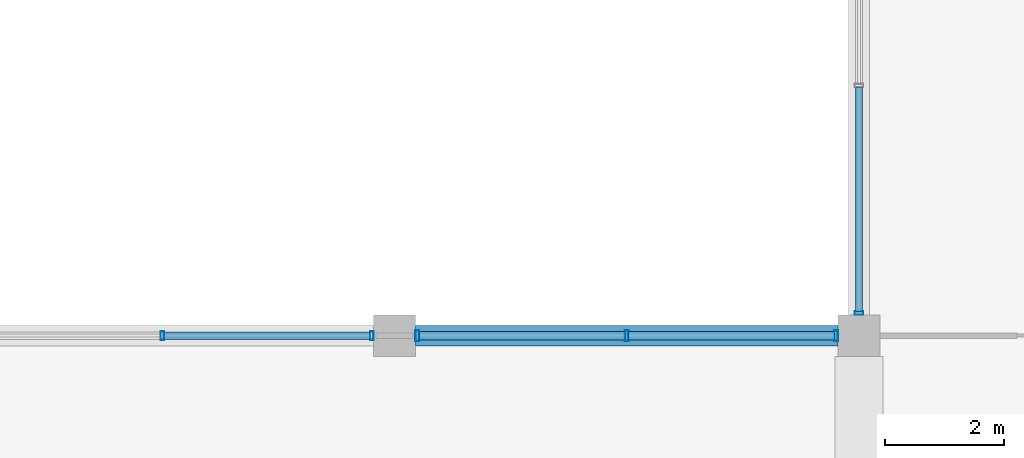
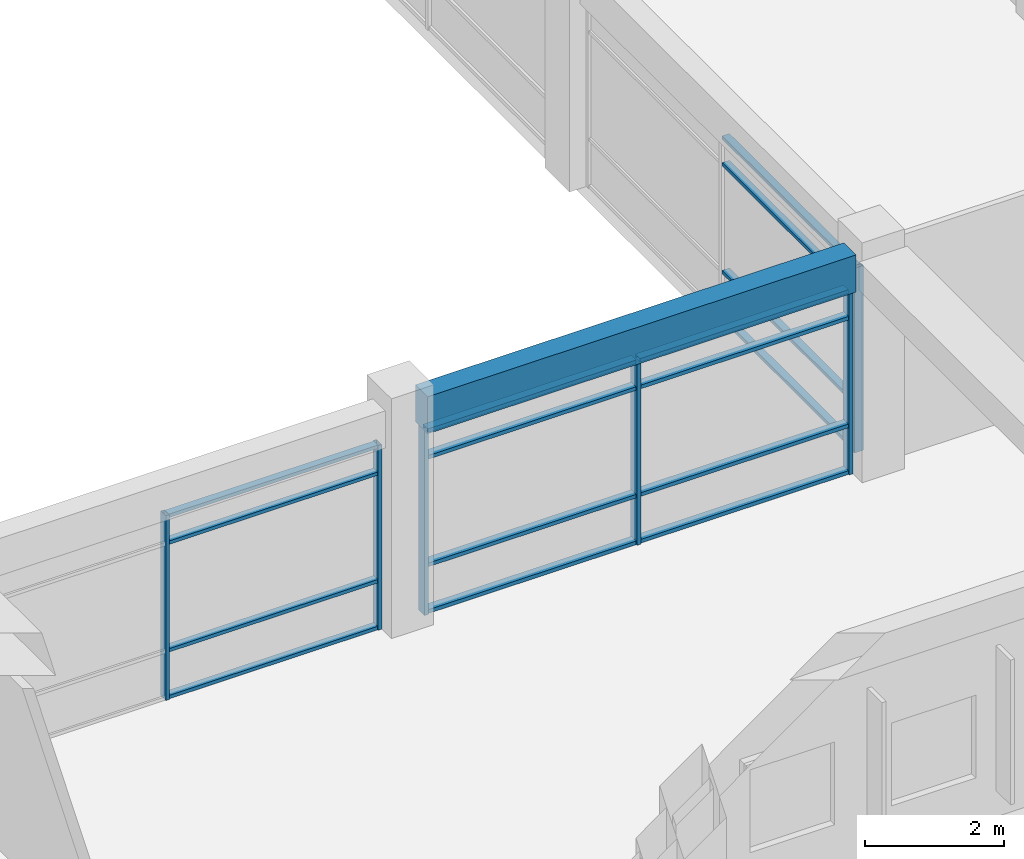
# One storey, part 13 of 53: 22 members, 1 beam, 3 elements without a shape of their own.
"""IFC4 building model written with IfcOpenShell, lengths in metres."""

import ifcopenshell
import ifcopenshell.guid

model = None  # the IFC model being written
_history = None  # IfcOwnerHistory: only IFC2X3 demands one
_inside = {}  # id of a spatial element -> (the spatial element, [elements in it])
_under = {}  # id of a project, library or spatial element -> (it, [spatial elements below it])
_declared = {}  # id of a project -> (the project, [libraries it declares])
_typed = {}  # id of a type object -> (the type object, [elements of that type])
_made_of = {}  # id of a material, layer set ... -> (it, [elements and type objects made of it])


def new_model(schema):
    """Start an empty IFC model of exactly this schema.

    Asked for "IFC4X3", IfcOpenShell would pick the latest addendum, in which some entities
    have other attributes; the version numbers below select the first issue.
    IFC2X3 requires an IfcOwnerHistory on every rooted entity: one is made here for all.
    """
    global model, _history
    if schema == "IFC4X3":
        model = ifcopenshell.file(schema_version=(4, 3, 0, 0))
    else:
        model = ifcopenshell.file(schema=schema)
    _inside.clear()
    _under.clear()
    _declared.clear()
    _typed.clear()
    _made_of.clear()
    _history = None
    if model.schema == "IFC2X3":
        org = make("IfcOrganization", Name="unknown")
        user = make(
            "IfcPersonAndOrganization",
            ThePerson=make("IfcPerson", FamilyName="unknown"),
            TheOrganization=org,
        )
        app = make(
            "IfcApplication",
            ApplicationDeveloper=org,
            Version="unknown",
            ApplicationFullName="unknown",
            ApplicationIdentifier="unknown",
        )
        _history = make(
            "IfcOwnerHistory",
            OwningUser=user,
            OwningApplication=app,
            ChangeAction="ADDED",
            CreationDate=0,
        )
    return model


def make(cls, **values):
    """One entity of the class cls with the attributes given. An attribute that is None is left unset."""
    return model.create_entity(
        cls, **{name: value for name, value in values.items() if value is not None}
    )


def rooted(cls, **values):
    """An entity with a GlobalId (a new one), such as an element, a storey or a relation."""
    return make(cls, GlobalId=ifcopenshell.guid.new(), OwnerHistory=_history, **values)


def si_unit(unit_type, name, prefix=None):
    """IfcSIUnit, for example si_unit("LENGTHUNIT", "METRE", prefix="MILLI")."""
    return make("IfcSIUnit", UnitType=unit_type, Prefix=prefix, Name=name)


def assignment(units):
    """IfcUnitAssignment: the units of a project."""
    return None if units is None else make("IfcUnitAssignment", Units=units)


def point(xyz):
    """IfcCartesianPoint."""
    return None if xyz is None else make("IfcCartesianPoint", Coordinates=xyz)


def direction(xyz):
    """IfcDirection."""
    return None if xyz is None else make("IfcDirection", DirectionRatios=xyz)


def frame(location, z_axis=None, x_axis=None):
    """IfcAxis2Placement3D, a coordinate frame: its origin and axes. An axis left out is left unset."""
    return make(
        "IfcAxis2Placement3D",
        Location=point(location),
        Axis=direction(z_axis),
        RefDirection=direction(x_axis),
    )


def frame_2d(location, x_axis=None):
    """IfcAxis2Placement2D, a coordinate frame in the plane: its origin and x axis."""
    return make(
        "IfcAxis2Placement2D", Location=point(location), RefDirection=direction(x_axis)
    )


def origin():
    """The frame at (0, 0, 0) with its axes left unset."""
    return frame((0.0, 0.0, 0.0))


def origin_2d():
    """The frame at (0, 0) in the plane with its x axis left unset."""
    return frame_2d((0.0, 0.0))


def place(relative_to, where):
    """IfcLocalPlacement: puts the frame where relative to a parent placement (None: the world)."""
    return make(
        "IfcLocalPlacement", PlacementRelTo=relative_to, RelativePlacement=where
    )


def context(
    kind, dimensions, precision=None, world=None, true_north=None, identifier=None
):
    """IfcGeometricRepresentationContext, for example the 3D "Model" context."""
    return make(
        "IfcGeometricRepresentationContext",
        ContextIdentifier=identifier,
        ContextType=kind,
        CoordinateSpaceDimension=dimensions,
        Precision=precision,
        WorldCoordinateSystem=world,
        TrueNorth=true_north,
    )


def subcontext(parent, identifier, kind, view, scale=None):
    """IfcGeometricRepresentationSubContext, for example "Body" below "Model"."""
    return make(
        "IfcGeometricRepresentationSubContext",
        ContextIdentifier=identifier,
        ContextType=kind,
        ParentContext=parent,
        TargetScale=scale,
        TargetView=view,
    )


def project(units=None, contexts=None):
    """IfcProject with its units and contexts."""
    return rooted(
        "IfcProject",
        Name="project",
        RepresentationContexts=contexts,
        UnitsInContext=assignment(units),
    )


def spatial(cls, under=None, at=None, **own):
    """A site, building, storey or space (cls), placed at a placement, below another one or the project."""
    s = rooted(cls, ObjectPlacement=at, **own)
    if under is not None:
        _under.setdefault(under.id(), (under, []))[1].append(s)
    return s


def profile(cls, at=None, kind="AREA", **sizes):
    """A parametric profile (cls). Its sizes go by their IFC names, for example OverallWidth=200.0."""
    return make(cls, ProfileType=kind, Position=at, **sizes)


def rectangle(**sizes):
    """IfcRectangleProfileDef."""
    return profile("IfcRectangleProfileDef", **sizes)


def hollow_rectangle(**sizes):
    """IfcRectangleHollowProfileDef."""
    return profile("IfcRectangleHollowProfileDef", **sizes)


def extrude(swept, where, along, depth):
    """IfcExtrudedAreaSolid: the profile swept, set in the frame where, extruded along a direction by depth."""
    return make(
        "IfcExtrudedAreaSolid",
        SweptArea=swept,
        Position=where,
        ExtrudedDirection=direction(along),
        Depth=depth,
    )


def shape(context_of_items, identifier, shape_type, items):
    """IfcShapeRepresentation: the items that make up one representation, for example the "Body"."""
    return make(
        "IfcShapeRepresentation",
        ContextOfItems=context_of_items,
        RepresentationIdentifier=identifier,
        RepresentationType=shape_type,
        Items=items,
    )


def material(Name=None, Category=None):
    """IfcMaterial."""
    return make("IfcMaterial", Name=Name, Category=Category)


def material_profile(
    of_material, cross_section, Name=None, Category=None, Priority=None
):
    """IfcMaterialProfile: a cross section and its material."""
    return make(
        "IfcMaterialProfile",
        Name=Name,
        Material=of_material,
        Profile=cross_section,
        Priority=Priority,
        Category=Category,
    )


def profile_set(profiles, Name=None, composite=None):
    """IfcMaterialProfileSet."""
    return make(
        "IfcMaterialProfileSet",
        Name=Name,
        MaterialProfiles=profiles,
        CompositeProfile=composite,
    )


def made_of(thing, what):
    """Note that an element or type object is made of a material, layer set ...; save() writes the relation."""
    if what is not None:
        _made_of.setdefault(what.id(), (what, []))[1].append(thing)
    return thing


def type_object(cls, material=None, **own):
    """A type object (cls), such as IfcWallType, which elements share."""
    return made_of(rooted(cls, **own), material)


def element(
    cls,
    number,
    at=None,
    inside=None,
    cuts=None,
    type_object=None,
    material=None,
    context=None,
    identifier="Body",
    shape_type=None,
    held_by="IfcProductDefinitionShape",
    body=None,
    shapes=None,
    **own,
):
    """One element of the class cls, such as IfcWall. Its Tag is "e" and its number.

    at: its placement. inside: the storey or other place that contains it. cuts: it is an
    opening in that element (IfcRelVoidsElement). A single representation is given by context,
    identifier, shape_type and body (its items); several are given by shapes. held_by: the class
    of the entity that holds the representations. save() writes the other relations.
    """
    e = rooted(cls, Tag="e%d" % number, ObjectPlacement=at, **own)
    if body is not None:
        shapes = [shape(context, identifier, shape_type, body)]
    if shapes is not None:
        e.Representation = make(held_by, Representations=shapes)
    if inside is not None:
        _inside.setdefault(inside.id(), (inside, []))[1].append(e)
    if cuts is not None:
        rooted(
            "IfcRelVoidsElement", RelatingBuildingElement=cuts, RelatedOpeningElement=e
        )
    if type_object is not None:
        _typed.setdefault(type_object.id(), (type_object, []))[1].append(e)
    return made_of(e, material)


def aggregate(whole, parts):
    """IfcRelAggregates: a whole, such as a stair, and the parts it consists of."""
    return rooted("IfcRelAggregates", RelatingObject=whole, RelatedObjects=parts)


def save(model, path):
    """Write the relations noted so far, then the file.

    IfcRelAggregates (storeys below a building ...), IfcRelContainedInSpatialStructure (elements
    in a storey), IfcRelDefinesByType, IfcRelAssociatesMaterial and IfcRelDeclares: one each for
    every whole, place, type object, material and project.
    """
    for whole, parts in _under.values():
        aggregate(whole, parts)
    for where, things in _inside.values():
        rooted(
            "IfcRelContainedInSpatialStructure",
            RelatedElements=things,
            RelatingStructure=where,
        )
    for kind, things in _typed.values():
        rooted("IfcRelDefinesByType", RelatedObjects=things, RelatingType=kind)
    for what, things in _made_of.values():
        rooted("IfcRelAssociatesMaterial", RelatedObjects=things, RelatingMaterial=what)
    for by, libraries in _declared.values():
        rooted("IfcRelDeclares", RelatingContext=by, RelatedDefinitions=libraries)
    model.write(path)


model = new_model("IFC4")

# Units and contexts
model_context = context("Model", 3, precision=1e-05, world=origin(), true_north=direction((0.0, 1.0)))
body_context = subcontext(model_context, "Body", "Model", "MODEL_VIEW")
ifc_project = project(units=[si_unit("LENGTHUNIT", "METRE"), si_unit("AREAUNIT", "SQUARE_METRE"), si_unit("VOLUMEUNIT", "CUBIC_METRE"), si_unit("PLANEANGLEUNIT", "RADIAN"), si_unit("MASSUNIT", "GRAM", prefix="KILO"), si_unit("THERMODYNAMICTEMPERATUREUNIT", "KELVIN"), si_unit("POWERUNIT", "WATT")], contexts=[model_context])

# Site, building, storey
site_placement = place(None, origin())
site = spatial("IfcSite", under=ifc_project, at=site_placement, CompositionType="ELEMENT")
building_placement = place(site_placement, origin())
building = spatial("IfcBuilding", under=site, at=building_placement, Name="Srebrne Nadtorze General Hospital", CompositionType="ELEMENT")
storey_placement = place(building_placement, frame((0.0, 0.0, 18.0)))
storey = spatial("IfcBuildingStorey", under=building, at=storey_placement, Name="L04", CompositionType="ELEMENT", Elevation=18.0)

# Curtain wall, members
ifc_material_1 = material(Name="Anodised Aluminium", Category="aluminium")
curtain_wall_type_1 = type_object("IfcCurtainWallType", Name="Unitised curtain wall 7100x3235", PredefinedType="NOTDEFINED", material=ifc_material_1)
curtain_wall_1_placement = place(storey_placement, origin())
curtain_wall_1 = element("IfcCurtainWall", 1, at=curtain_wall_1_placement, inside=storey, type_object=curtain_wall_type_1, Name="Curtain wall CW-102", PredefinedType="NOTDEFINED")
ifc_material_2 = material(Name="Anodised Aluminium", Category="aluminium")
ifc_material_profile_1 = material_profile(ifc_material_2, hollow_rectangle(XDim=0.06005859375, YDim=0.14990234375, WallThickness=0.00390625, at=origin_2d()), Name="AL-MUL-60x150")
ifc_profile_set_1 = profile_set([ifc_material_profile_1], Name="Anodised Aluminium")
member_type_1 = type_object("IfcMemberType", Name="Curtain mullion 60x150", PredefinedType="MULLION", material=ifc_profile_set_1)
member_1_placement = place(storey_placement, frame((120.89990234375, 8.39990234375, 0.0), z_axis=(0.0, 0.0, 1.0), x_axis=(1.0, 0.0, 0.0)))
member_1 = element("IfcMember", 2, at=member_1_placement, type_object=member_type_1, Name="CW-102 mullion 2", PredefinedType="MULLION", context=body_context, shape_type="SweptSolid", body=[
    extrude(hollow_rectangle(XDim=0.06005859375, YDim=0.14990234375, WallThickness=0.00390625, at=origin_2d()), origin(), (0.0, 0.0, 1.0), 3.235107421875),
])
member_2_placement = place(storey_placement, frame((124.419921875, 8.39990234375, 0.0), z_axis=(0.0, 0.0, 1.0), x_axis=(1.0, 0.0, 0.0)))
member_2 = element("IfcMember", 3, at=member_2_placement, type_object=member_type_1, Name="CW-102 mullion 3", PredefinedType="MULLION", context=body_context, shape_type="SweptSolid", body=[
    extrude(hollow_rectangle(XDim=0.06005859375, YDim=0.14990234375, WallThickness=0.00390625, at=origin_2d()), origin(), (0.0, 0.0, 1.0), 3.235107421875),
])

# Curtain wall, member
ifc_material_3 = material(Name="Anodised Aluminium", Category="aluminium")
curtain_wall_type_2 = type_object("IfcCurtainWallType", Name="Unitised curtain wall 7700x3235", PredefinedType="NOTDEFINED", material=ifc_material_3)
curtain_wall_2_placement = place(storey_placement, origin())
curtain_wall_2 = element("IfcCurtainWall", 4, at=curtain_wall_2_placement, inside=storey, type_object=curtain_wall_type_2, Name="Curtain wall CW-112", PredefinedType="NOTDEFINED")
member_3_placement = place(storey_placement, frame((132.60009765625, 8.780029296875, 0.0), z_axis=(0.0, 0.0, 1.0), x_axis=(0.0, 1.0, 0.0)))
member_3 = element("IfcMember", 5, at=member_3_placement, type_object=member_type_1, Name="CW-112 mullion 1", PredefinedType="MULLION", context=body_context, shape_type="SweptSolid", body=[
    extrude(hollow_rectangle(XDim=0.06005859375, YDim=0.14990234375, WallThickness=0.00390625, at=origin_2d()), origin(), (0.0, 0.0, 1.0), 3.235107421875),
])

# Curtain wall, members
curtain_wall_3_placement = place(storey_placement, origin())
curtain_wall_3 = element("IfcCurtainWall", 6, at=curtain_wall_3_placement, inside=storey, type_object=curtain_wall_type_1, Name="Curtain wall CW-103", PredefinedType="NOTDEFINED")
ifc_material_4 = material(Name="Anodised Aluminium", Category="aluminium")
ifc_material_profile_2 = material_profile(ifc_material_4, hollow_rectangle(XDim=0.06494140625, YDim=0.179931640625, WallThickness=0.00390625, at=origin_2d()), Name="AL-MUL-65x180")
ifc_profile_set_2 = profile_set([ifc_material_profile_2], Name="Anodised Aluminium")
member_type_2 = type_object("IfcMemberType", Name="Curtain mullion 65x180", PredefinedType="MULLION", material=ifc_profile_set_2)
member_4_placement = place(storey_placement, frame((125.1826171875, 8.39990234375, 0.0), z_axis=(0.0, 0.0, 1.0), x_axis=(1.0, 0.0, 0.0)))
member_4 = element("IfcMember", 7, at=member_4_placement, type_object=member_type_2, Name="CW-103 mullion 1", PredefinedType="MULLION", context=body_context, shape_type="SweptSolid", body=[
    extrude(hollow_rectangle(XDim=0.06494140625, YDim=0.179931640625, WallThickness=0.00390625, at=origin_2d()), origin(), (0.0, 0.0, 1.0), 3.235107421875),
])
member_5_placement = place(storey_placement, frame((128.699951171875, 8.39990234375, 0.0), z_axis=(0.0, 0.0, 1.0), x_axis=(1.0, 0.0, 0.0)))
member_5 = element("IfcMember", 8, at=member_5_placement, type_object=member_type_2, Name="CW-103 mullion 2", PredefinedType="MULLION", context=body_context, shape_type="SweptSolid", body=[
    extrude(hollow_rectangle(XDim=0.06494140625, YDim=0.179931640625, WallThickness=0.00390625, at=origin_2d()), origin(), (0.0, 0.0, 1.0), 3.235107421875),
])
member_6_placement = place(storey_placement, frame((132.217529296875, 8.39990234375, 0.0), z_axis=(0.0, 0.0, 1.0), x_axis=(1.0, 0.0, 0.0)))
member_6 = element("IfcMember", 9, at=member_6_placement, type_object=member_type_2, Name="CW-103 mullion 3", PredefinedType="MULLION", context=body_context, shape_type="SweptSolid", body=[
    extrude(hollow_rectangle(XDim=0.06494140625, YDim=0.179931640625, WallThickness=0.00390625, at=origin_2d()), origin(), (0.0, 0.0, 1.0), 3.235107421875),
])

# Member
ifc_material_5 = material(Name="Anodised Aluminium", Category="aluminium")
ifc_material_profile_3 = material_profile(ifc_material_5, hollow_rectangle(XDim=0.06005859375, YDim=0.1201171875, WallThickness=0.00390625, at=origin_2d()), Name="AL-TRN-60x120")
ifc_profile_set_3 = profile_set([ifc_material_profile_3], Name="Anodised Aluminium")
member_type_3 = type_object("IfcMemberType", Name="Curtain transom 60x120", PredefinedType="USERDEFINED", material=ifc_profile_set_3)
member_7_placement = place(storey_placement, frame((120.929931640625, 8.39990234375, 0.030029296875), z_axis=(1.0, 0.0, 0.0), x_axis=(0.0, 0.0, 1.0)))
member_7 = element("IfcMember", 10, at=member_7_placement, type_object=member_type_3, Name="CW-102 transom 2.1", ObjectType="TRANSOM", PredefinedType="USERDEFINED", context=body_context, shape_type="SweptSolid", body=[
    extrude(hollow_rectangle(XDim=0.06005859375, YDim=0.1201171875, WallThickness=0.00390625, at=origin_2d()), origin(), (0.0, 0.0, 1.0), 3.4599609375),
])

member_8_placement = place(storey_placement, frame((120.929931640625, 8.39990234375, 0.85009765625), z_axis=(1.0, 0.0, 0.0), x_axis=(0.0, 0.0, 1.0)))
member_8 = element("IfcMember", 11, at=member_8_placement, type_object=member_type_3, Name="CW-102 transom 2.2", ObjectType="TRANSOM", PredefinedType="USERDEFINED", context=body_context, shape_type="SweptSolid", body=[
    extrude(hollow_rectangle(XDim=0.06005859375, YDim=0.1201171875, WallThickness=0.00390625, at=origin_2d()), origin(), (0.0, 0.0, 1.0), 3.4599609375),
])

member_9_placement = place(storey_placement, frame((120.929931640625, 8.39990234375, 2.735107421875), z_axis=(1.0, 0.0, 0.0), x_axis=(0.0, 0.0, 1.0)))
member_9 = element("IfcMember", 12, at=member_9_placement, type_object=member_type_3, Name="CW-102 transom 2.3", ObjectType="TRANSOM", PredefinedType="USERDEFINED", context=body_context, shape_type="SweptSolid", body=[
    extrude(hollow_rectangle(XDim=0.06005859375, YDim=0.1201171875, WallThickness=0.00390625, at=origin_2d()), origin(), (0.0, 0.0, 1.0), 3.4599609375),
])

member_10_placement = place(storey_placement, frame((120.929931640625, 8.39990234375, 3.205078125), z_axis=(1.0, 0.0, 0.0), x_axis=(0.0, 0.0, 1.0)))
member_10 = element("IfcMember", 13, at=member_10_placement, type_object=member_type_3, Name="CW-102 transom 2.4", ObjectType="TRANSOM", PredefinedType="USERDEFINED", context=body_context, shape_type="SweptSolid", body=[
    extrude(hollow_rectangle(XDim=0.06005859375, YDim=0.1201171875, WallThickness=0.00390625, at=origin_2d()), origin(), (0.0, 0.0, 1.0), 3.4599609375),
])

aggregate(curtain_wall_1, [member_1, member_2, member_7, member_8, member_9, member_10])

member_11_placement = place(storey_placement, frame((132.60009765625, 8.81005859375, 0.030029296875), z_axis=(0.0, 1.0, 0.0), x_axis=(0.0, 0.0, 1.0)))
member_11 = element("IfcMember", 14, at=member_11_placement, type_object=member_type_3, Name="CW-112 transom 1.1", ObjectType="TRANSOM", PredefinedType="USERDEFINED", context=body_context, shape_type="SweptSolid", body=[
    extrude(hollow_rectangle(XDim=0.06005859375, YDim=0.1201171875, WallThickness=0.00390625, at=origin_2d()), origin(), (0.0, 0.0, 1.0), 3.760009765625),
])

member_12_placement = place(storey_placement, frame((132.60009765625, 8.81005859375, 0.85009765625), z_axis=(0.0, 1.0, 0.0), x_axis=(0.0, 0.0, 1.0)))
member_12 = element("IfcMember", 15, at=member_12_placement, type_object=member_type_3, Name="CW-112 transom 1.2", ObjectType="TRANSOM", PredefinedType="USERDEFINED", context=body_context, shape_type="SweptSolid", body=[
    extrude(hollow_rectangle(XDim=0.06005859375, YDim=0.1201171875, WallThickness=0.00390625, at=origin_2d()), origin(), (0.0, 0.0, 1.0), 3.760009765625),
])

member_13_placement = place(storey_placement, frame((132.60009765625, 8.81005859375, 2.735107421875), z_axis=(0.0, 1.0, 0.0), x_axis=(0.0, 0.0, 1.0)))
member_13 = element("IfcMember", 16, at=member_13_placement, type_object=member_type_3, Name="CW-112 transom 1.3", ObjectType="TRANSOM", PredefinedType="USERDEFINED", context=body_context, shape_type="SweptSolid", body=[
    extrude(hollow_rectangle(XDim=0.06005859375, YDim=0.1201171875, WallThickness=0.00390625, at=origin_2d()), origin(), (0.0, 0.0, 1.0), 3.760009765625),
])

member_14_placement = place(storey_placement, frame((132.60009765625, 8.81005859375, 3.205078125), z_axis=(0.0, 1.0, 0.0), x_axis=(0.0, 0.0, 1.0)))
member_14 = element("IfcMember", 17, at=member_14_placement, type_object=member_type_3, Name="CW-112 transom 1.4", ObjectType="TRANSOM", PredefinedType="USERDEFINED", context=body_context, shape_type="SweptSolid", body=[
    extrude(hollow_rectangle(XDim=0.06005859375, YDim=0.1201171875, WallThickness=0.00390625, at=origin_2d()), origin(), (0.0, 0.0, 1.0), 3.760009765625),
])

aggregate(curtain_wall_2, [member_3, member_11, member_12, member_13, member_14])

ifc_material_6 = material(Name="Anodised Aluminium", Category="aluminium")
ifc_material_profile_4 = material_profile(ifc_material_6, hollow_rectangle(XDim=0.06494140625, YDim=0.139892578125, WallThickness=0.00390625, at=origin_2d()), Name="AL-TRN-65x140")
ifc_profile_set_4 = profile_set([ifc_material_profile_4], Name="Anodised Aluminium")
member_type_4 = type_object("IfcMemberType", Name="Curtain transom 65x140", PredefinedType="USERDEFINED", material=ifc_profile_set_4)
member_15_placement = place(storey_placement, frame((125.215087890625, 8.39990234375, 0.032470703125), z_axis=(1.0, 0.0, 0.0), x_axis=(0.0, 0.0, 1.0)))
member_15 = element("IfcMember", 18, at=member_15_placement, type_object=member_type_4, Name="CW-103 transom 1.1", ObjectType="TRANSOM", PredefinedType="USERDEFINED", context=body_context, shape_type="SweptSolid", body=[
    extrude(hollow_rectangle(XDim=0.06494140625, YDim=0.139892578125, WallThickness=0.00390625, at=origin_2d()), origin(), (0.0, 0.0, 1.0), 3.452392578125),
])

member_16_placement = place(storey_placement, frame((125.215087890625, 8.39990234375, 0.85009765625), z_axis=(1.0, 0.0, 0.0), x_axis=(0.0, 0.0, 1.0)))
member_16 = element("IfcMember", 19, at=member_16_placement, type_object=member_type_4, Name="CW-103 transom 1.2", ObjectType="TRANSOM", PredefinedType="USERDEFINED", context=body_context, shape_type="SweptSolid", body=[
    extrude(hollow_rectangle(XDim=0.06494140625, YDim=0.139892578125, WallThickness=0.00390625, at=origin_2d()), origin(), (0.0, 0.0, 1.0), 3.452392578125),
])

member_17_placement = place(storey_placement, frame((125.215087890625, 8.39990234375, 2.735107421875), z_axis=(1.0, 0.0, 0.0), x_axis=(0.0, 0.0, 1.0)))
member_17 = element("IfcMember", 20, at=member_17_placement, type_object=member_type_4, Name="CW-103 transom 1.3", ObjectType="TRANSOM", PredefinedType="USERDEFINED", context=body_context, shape_type="SweptSolid", body=[
    extrude(hollow_rectangle(XDim=0.06494140625, YDim=0.139892578125, WallThickness=0.00390625, at=origin_2d()), origin(), (0.0, 0.0, 1.0), 3.452392578125),
])

member_18_placement = place(storey_placement, frame((125.215087890625, 8.39990234375, 3.202392578125), z_axis=(1.0, 0.0, 0.0), x_axis=(0.0, 0.0, 1.0)))
member_18 = element("IfcMember", 21, at=member_18_placement, type_object=member_type_4, Name="CW-103 transom 1.4", ObjectType="TRANSOM", PredefinedType="USERDEFINED", context=body_context, shape_type="SweptSolid", body=[
    extrude(hollow_rectangle(XDim=0.06494140625, YDim=0.139892578125, WallThickness=0.00390625, at=origin_2d()), origin(), (0.0, 0.0, 1.0), 3.452392578125),
])

member_19_placement = place(storey_placement, frame((128.732421875, 8.39990234375, 0.032470703125), z_axis=(1.0, 0.0, 0.0), x_axis=(0.0, 0.0, 1.0)))
member_19 = element("IfcMember", 22, at=member_19_placement, type_object=member_type_4, Name="CW-103 transom 2.1", ObjectType="TRANSOM", PredefinedType="USERDEFINED", context=body_context, shape_type="SweptSolid", body=[
    extrude(hollow_rectangle(XDim=0.06494140625, YDim=0.139892578125, WallThickness=0.00390625, at=origin_2d()), origin(), (0.0, 0.0, 1.0), 3.45263671875),
])

member_20_placement = place(storey_placement, frame((128.732421875, 8.39990234375, 0.85009765625), z_axis=(1.0, 0.0, 0.0), x_axis=(0.0, 0.0, 1.0)))
member_20 = element("IfcMember", 23, at=member_20_placement, type_object=member_type_4, Name="CW-103 transom 2.2", ObjectType="TRANSOM", PredefinedType="USERDEFINED", context=body_context, shape_type="SweptSolid", body=[
    extrude(hollow_rectangle(XDim=0.06494140625, YDim=0.139892578125, WallThickness=0.00390625, at=origin_2d()), origin(), (0.0, 0.0, 1.0), 3.45263671875),
])

member_21_placement = place(storey_placement, frame((128.732421875, 8.39990234375, 2.735107421875), z_axis=(1.0, 0.0, 0.0), x_axis=(0.0, 0.0, 1.0)))
member_21 = element("IfcMember", 24, at=member_21_placement, type_object=member_type_4, Name="CW-103 transom 2.3", ObjectType="TRANSOM", PredefinedType="USERDEFINED", context=body_context, shape_type="SweptSolid", body=[
    extrude(hollow_rectangle(XDim=0.06494140625, YDim=0.139892578125, WallThickness=0.00390625, at=origin_2d()), origin(), (0.0, 0.0, 1.0), 3.45263671875),
])

member_22_placement = place(storey_placement, frame((128.732421875, 8.39990234375, 3.202392578125), z_axis=(1.0, 0.0, 0.0), x_axis=(0.0, 0.0, 1.0)))
member_22 = element("IfcMember", 25, at=member_22_placement, type_object=member_type_4, Name="CW-103 transom 2.4", ObjectType="TRANSOM", PredefinedType="USERDEFINED", context=body_context, shape_type="SweptSolid", body=[
    extrude(hollow_rectangle(XDim=0.06494140625, YDim=0.139892578125, WallThickness=0.00390625, at=origin_2d()), origin(), (0.0, 0.0, 1.0), 3.45263671875),
])

aggregate(curtain_wall_3, [member_4, member_5, member_6, member_15, member_16, member_17, member_18, member_19, member_20, member_21, member_22])

# Beam
ifc_material_7 = material(Name="Concrete C35/45", Category="concrete")
ifc_material_profile_5 = material_profile(ifc_material_7, rectangle(XDim=0.35009765625, YDim=0.64990234375, at=origin_2d()), Name="RC-BM-350x650")
ifc_profile_set_5 = profile_set([ifc_material_profile_5], Name="Concrete C35/45")
beam_type = type_object("IfcBeamType", Name="Edge beam RC 350x650", PredefinedType="BEAM", material=ifc_profile_set_5)
beam_placement = place(storey_placement, frame((125.14990234375, 8.39990234375, 3.56005859375), z_axis=(1.0, 0.0, 0.0), x_axis=(0.0, 1.0, 0.0)))
element("IfcBeam", 26, at=beam_placement, inside=storey, type_object=beam_type, Name="Beam BM-L04-X-0870", PredefinedType="BEAM", context=body_context, shape_type="SweptSolid", body=[
    extrude(rectangle(XDim=0.35009765625, YDim=0.64990234375, at=origin_2d()), origin(), (0.0, 0.0, 1.0), 7.10009765625),
])

save(model, "model.ifc")
